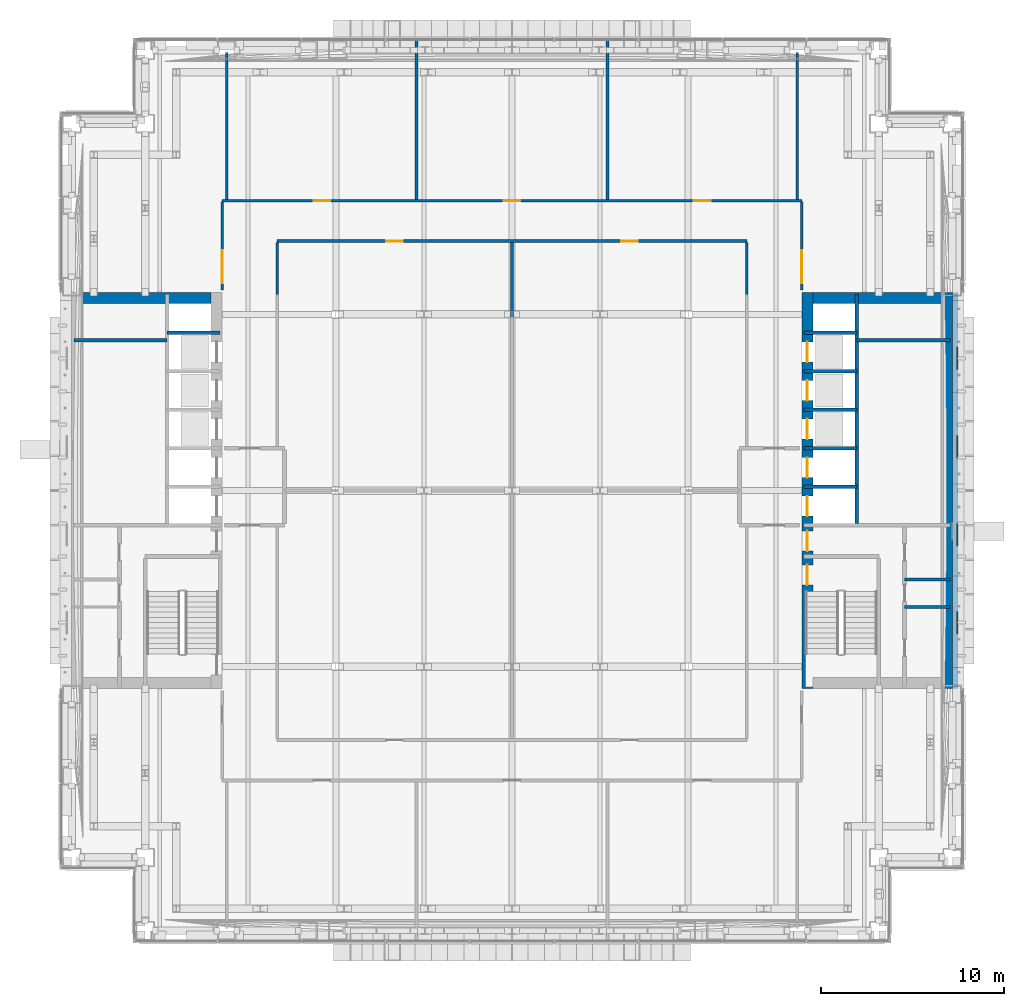
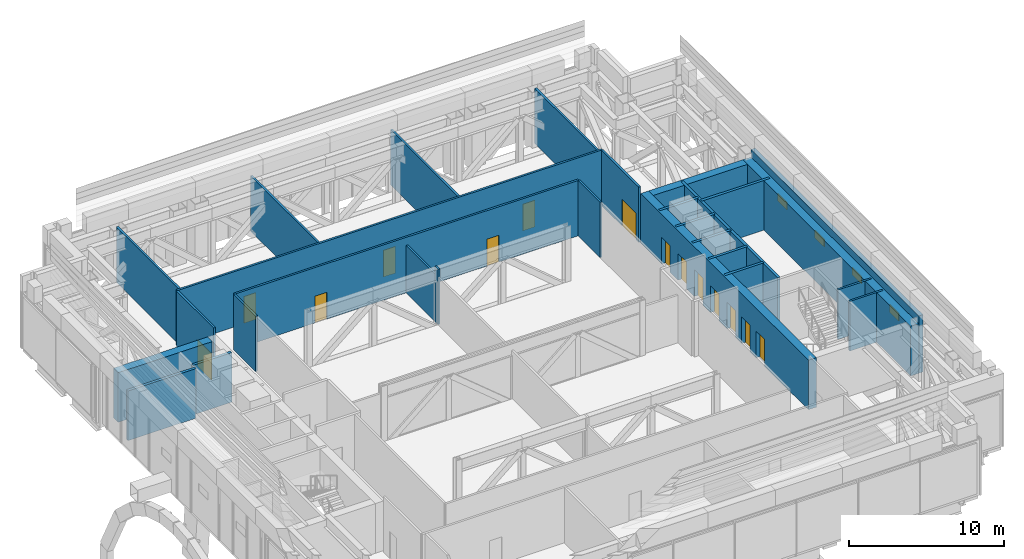
# One storey, part 19 of 39: 28 walls, 14 doors, 4 windows, 18 openings.
"""IFC4 building model written with IfcOpenShell, lengths in metres."""

from ifc_helpers import new_model, si_unit, direction, frame, frame_2d, origin, place, context, subcontext, project, spatial, rectangle, extrude, material, layer, layer_set, type_object, element, fill, save


model = new_model("IFC4")

# Units and contexts
model_context = context("Model", 3, precision=1e-05, world=origin(), true_north=direction((0.0, 1.0)))
body_context = subcontext(model_context, "Body", "Model", "MODEL_VIEW")
ifc_project = project(units=[si_unit("LENGTHUNIT", "METRE"), si_unit("AREAUNIT", "SQUARE_METRE"), si_unit("VOLUMEUNIT", "CUBIC_METRE"), si_unit("PLANEANGLEUNIT", "RADIAN"), si_unit("MASSUNIT", "GRAM", prefix="KILO")], contexts=[model_context])

# Site, building, storey
site_placement = place(None, origin())
site = spatial("IfcSite", under=ifc_project, at=site_placement, CompositionType="ELEMENT")
building_placement = place(site_placement, origin())
building = spatial("IfcBuilding", under=site, at=building_placement, Name="Cobrizo Arcos Hotel Tower", CompositionType="ELEMENT")
storey_placement = place(building_placement, frame((0.0, 0.0, 84.5)))
storey = spatial("IfcBuildingStorey", under=building, at=storey_placement, Name="L20", CompositionType="ELEMENT", Elevation=84.5)

# Walls
ifc_material_1 = material(Name="Gypsum board partition")
ifc_layer_1 = layer(ifc_material_1, 0.14990234375)
ifc_layer_set_1 = layer_set([ifc_layer_1], Name="Corridor wall EI 60 150")
wall_type_1 = type_object("IfcWallType", Name="Corridor wall EI 60 150", PredefinedType="PARTITIONING", material=ifc_layer_set_1)
for number, where, z_axis, x_axis, name in (
    (1, (21.39990234375, -6.35009765625, 0.0), (0.0, 0.0, 1.0), (1.0, 0.0, 0.0), "Partition 004"),
    (2, (21.39990234375, -4.85009765625, 0.0), (0.0, 0.0, 1.0), (1.0, 0.0, 0.0), "Partition 006"),
):
    element("IfcWall", number, at=place(storey_placement, frame(where, z_axis=z_axis, x_axis=x_axis)), inside=storey, type_object=wall_type_1, Name=name, PredefinedType="PARTITIONING", context=body_context, shape_type="SweptSolid", body=[
        extrude(rectangle(XDim=2.47998046875, YDim=0.14990234375, at=frame_2d((1.239990234375, 0.0))), origin(), (0.0, 0.0, 1.0), 3.89990234375),
    ])

# Wall, openings, doors
wall_1_placement = place(storey_placement, frame((-12.800048828125, 13.60009765625, 0.0), z_axis=(0.0, 0.0, 1.0), x_axis=(1.0, 0.0, 0.0)))
wall_1 = element("IfcWall", 3, at=wall_1_placement, inside=storey, type_object=wall_type_1, Name="Partition 030", PredefinedType="PARTITIONING", context=body_context, shape_type="SweptSolid", body=[
    extrude(rectangle(XDim=25.60009765625, YDim=0.14990234375, at=frame_2d((12.800048828125, 0.0))), origin(), (0.0, 0.0, 1.0), 4.35009765625),
])
opening_1_placement = place(wall_1_placement, frame((5.949951171875, 0.0, 0.0)))
opening_1 = element("IfcOpeningElement", 4, at=opening_1_placement, cuts=wall_1, Name="Opening RD-16", PredefinedType="OPENING", context=body_context, shape_type="SweptSolid", body=[
    extrude(rectangle(XDim=0.89990234375, YDim=2.10009765625, at=frame_2d((0.449951171875, 1.050048828125))), frame((0.0, 0.0869140625, 0.0), z_axis=(0.0, -1.0, 0.0), x_axis=(1.0, 0.0, 0.0)), (0.0, 0.0, 1.0), 0.173828125),
])
opening_2_placement = place(wall_1_placement, frame((18.75, 0.0, 0.0)))
opening_2 = element("IfcOpeningElement", 5, at=opening_2_placement, cuts=wall_1, Name="Opening RD-18", PredefinedType="OPENING", context=body_context, shape_type="SweptSolid", body=[
    extrude(rectangle(XDim=0.89990234375, YDim=2.10009765625, at=frame_2d((0.449951171875, 1.050048828125))), frame((0.0, 0.0869140625, 0.0), z_axis=(0.0, -1.0, 0.0), x_axis=(1.0, 0.0, 0.0)), (0.0, 0.0, 1.0), 0.173828125),
])
ifc_material_2 = material(Name="Timber door leaf", Category="wood")
door_type_1 = type_object("IfcDoorType", Name="Room door FD30 900x2100", OperationType="SINGLE_SWING_LEFT", PredefinedType="DOOR", material=ifc_material_2)
door_1_placement = place(opening_1_placement, origin())
door_1 = element("IfcDoor", 6, at=door_1_placement, inside=storey, type_object=door_type_1, Name="Door RD-16", OperationType="SINGLE_SWING_RIGHT", OverallHeight=2.10009765625, OverallWidth=0.89990234375, PredefinedType="DOOR", context=body_context, shape_type="SweptSolid", body=[
    extrude(rectangle(XDim=0.89990234375, YDim=2.10009765625, at=frame_2d((0.449951171875, 1.050048828125))), frame((0.0, 0.02490234375, 0.0), z_axis=(0.0, -1.0, 0.0), x_axis=(1.0, 0.0, 0.0)), (0.0, 0.0, 1.0), 0.050048828125),
])
fill(opening_1, door_1)
door_2_placement = place(opening_2_placement, origin())
door_2 = element("IfcDoor", 7, at=door_2_placement, inside=storey, type_object=door_type_1, Name="Door RD-18", OperationType="SINGLE_SWING_RIGHT", OverallHeight=2.10009765625, OverallWidth=0.89990234375, PredefinedType="DOOR", context=body_context, shape_type="SweptSolid", body=[
    extrude(rectangle(XDim=0.89990234375, YDim=2.10009765625, at=frame_2d((0.449951171875, 1.050048828125))), frame((0.0, 0.02490234375, 0.0), z_axis=(0.0, -1.0, 0.0), x_axis=(1.0, 0.0, 0.0)), (0.0, 0.0, 1.0), 0.050048828125),
])
fill(opening_2, door_2)

wall_2_placement = place(storey_placement, frame((-15.800048828125, 15.800048828125, 0.0), z_axis=(0.0, 0.0, 1.0), x_axis=(1.0, 0.0, 0.0)))
wall_2 = element("IfcWall", 8, at=wall_2_placement, inside=storey, type_object=wall_type_1, Name="Partition 031", PredefinedType="PARTITIONING", context=body_context, shape_type="SweptSolid", body=[
    extrude(rectangle(XDim=31.60009765625, YDim=0.14990234375, at=frame_2d((15.800048828125, 0.0))), origin(), (0.0, 0.0, 1.0), 4.35009765625),
])
opening_3_placement = place(wall_2_placement, frame((4.97998046875, 0.0, 0.0)))
opening_3 = element("IfcOpeningElement", 9, at=opening_3_placement, cuts=wall_2, Name="Opening RD-07", PredefinedType="OPENING", context=body_context, shape_type="SweptSolid", body=[
    extrude(rectangle(XDim=0.89990234375, YDim=2.10009765625, at=frame_2d((0.449951171875, 1.050048828125))), frame((0.0, 0.0869140625, 0.0), z_axis=(0.0, -1.0, 0.0), x_axis=(1.0, 0.0, 0.0)), (0.0, 0.0, 1.0), 0.173828125),
])
opening_4_placement = place(wall_2_placement, frame((15.35009765625, 0.0, 0.0)))
opening_4 = element("IfcOpeningElement", 10, at=opening_4_placement, cuts=wall_2, Name="Opening RD-08", PredefinedType="OPENING", context=body_context, shape_type="SweptSolid", body=[
    extrude(rectangle(XDim=0.89990234375, YDim=2.10009765625, at=frame_2d((0.449951171875, 1.050048828125))), frame((0.0, 0.0869140625, 0.0), z_axis=(0.0, -1.0, 0.0), x_axis=(1.0, 0.0, 0.0)), (0.0, 0.0, 1.0), 0.173828125),
])
opening_5_placement = place(wall_2_placement, frame((25.720947265625, 0.0, 0.0)))
opening_5 = element("IfcOpeningElement", 11, at=opening_5_placement, cuts=wall_2, Name="Opening RD-09", PredefinedType="OPENING", context=body_context, shape_type="SweptSolid", body=[
    extrude(rectangle(XDim=0.89990234375, YDim=2.10009765625, at=frame_2d((0.449951171875, 1.050048828125))), frame((0.0, 0.0869140625, 0.0), z_axis=(0.0, -1.0, 0.0), x_axis=(1.0, 0.0, 0.0)), (0.0, 0.0, 1.0), 0.173828125),
])
door_3_placement = place(opening_3_placement, origin())
door_3 = element("IfcDoor", 12, at=door_3_placement, inside=storey, type_object=door_type_1, Name="Door RD-07", OperationType="SINGLE_SWING_RIGHT", OverallHeight=2.10009765625, OverallWidth=0.89990234375, PredefinedType="DOOR", context=body_context, shape_type="SweptSolid", body=[
    extrude(rectangle(XDim=0.89990234375, YDim=2.10009765625, at=frame_2d((0.449951171875, 1.050048828125))), frame((0.0, 0.02490234375, 0.0), z_axis=(0.0, -1.0, 0.0), x_axis=(1.0, 0.0, 0.0)), (0.0, 0.0, 1.0), 0.050048828125),
])
fill(opening_3, door_3)
door_4_placement = place(opening_4_placement, origin())
door_4 = element("IfcDoor", 13, at=door_4_placement, inside=storey, type_object=door_type_1, Name="Door RD-08", OperationType="SINGLE_SWING_LEFT", OverallHeight=2.10009765625, OverallWidth=0.89990234375, PredefinedType="DOOR", context=body_context, shape_type="SweptSolid", body=[
    extrude(rectangle(XDim=0.89990234375, YDim=2.10009765625, at=frame_2d((0.449951171875, 1.050048828125))), frame((0.0, 0.02490234375, 0.0), z_axis=(0.0, -1.0, 0.0), x_axis=(1.0, 0.0, 0.0)), (0.0, 0.0, 1.0), 0.050048828125),
])
fill(opening_4, door_4)
door_5_placement = place(opening_5_placement, origin())
door_5 = element("IfcDoor", 14, at=door_5_placement, inside=storey, type_object=door_type_1, Name="Door RD-09", OperationType="SINGLE_SWING_LEFT", OverallHeight=2.10009765625, OverallWidth=0.89990234375, PredefinedType="DOOR", context=body_context, shape_type="SweptSolid", body=[
    extrude(rectangle(XDim=0.89990234375, YDim=2.10009765625, at=frame_2d((0.449951171875, 1.050048828125))), frame((0.0, 0.02490234375, 0.0), z_axis=(0.0, -1.0, 0.0), x_axis=(1.0, 0.0, 0.0)), (0.0, 0.0, 1.0), 0.050048828125),
])
fill(opening_5, door_5)

# Wall, opening, door
wall_3_placement = place(storey_placement, frame((-15.800048828125, 10.919921875, 0.0), z_axis=(0.0, 0.0, 1.0), x_axis=(0.0, 1.0, 0.0)))
wall_3 = element("IfcWall", 15, at=wall_3_placement, inside=storey, type_object=wall_type_1, Name="Partition 036", PredefinedType="PARTITIONING", context=body_context, shape_type="SweptSolid", body=[
    extrude(rectangle(XDim=4.80517578125, YDim=0.14990234375, at=frame_2d((2.402587890625, 0.0))), origin(), (0.0, 0.0, 1.0), 4.35009765625),
])
opening_6_placement = place(wall_3_placement, frame((0.3798828125, 0.0, 0.0)))
opening_6 = element("IfcOpeningElement", 16, at=opening_6_placement, cuts=wall_3, Name="Opening DD-01", PredefinedType="OPENING", context=body_context, shape_type="SweptSolid", body=[
    extrude(rectangle(XDim=1.800048828125, YDim=2.10009765625, at=frame_2d((0.89990234375, 1.050048828125))), frame((0.0, 0.0869140625, 0.0), z_axis=(0.0, -1.0, 0.0), x_axis=(1.0, 0.0, 0.0)), (0.0, 0.0, 1.0), 0.173828125),
])
door_type_2 = type_object("IfcDoorType", Name="Double door FD30 1800x2100", OperationType="DOUBLE_DOOR_SINGLE_SWING", PredefinedType="DOOR", material=ifc_material_2)
door_6_placement = place(opening_6_placement, origin())
door_6 = element("IfcDoor", 17, at=door_6_placement, inside=storey, type_object=door_type_2, Name="Door DD-01", OperationType="DOUBLE_DOOR_SINGLE_SWING", OverallHeight=2.10009765625, OverallWidth=1.800048828125, PredefinedType="DOOR", context=body_context, shape_type="SweptSolid", body=[
    extrude(rectangle(XDim=1.800048828125, YDim=2.10009765625, at=frame_2d((0.89990234375, 1.050048828125))), frame((0.0, 0.02490234375, 0.0), z_axis=(0.0, -1.0, 0.0), x_axis=(1.0, 0.0, 0.0)), (0.0, 0.0, 1.0), 0.050048828125),
])
fill(opening_6, door_6)

# Walls
wall_4_placement = place(storey_placement, frame((-15.550048828125, 15.875, 0.0), z_axis=(0.0, 0.0, 1.0), x_axis=(0.0, 1.0, 0.0)))
element("IfcWall", 18, at=wall_4_placement, inside=storey, type_object=wall_type_1, Name="Partition 038", PredefinedType="PARTITIONING", context=body_context, shape_type="SweptSolid", body=[
    extrude(rectangle(XDim=8.0048828125, YDim=0.14990234375, at=frame_2d((4.00244140625, 0.0))), origin(), (0.0, 0.0, 1.0), 4.35009765625),
])
wall_5_placement = place(storey_placement, frame((-12.800048828125, 10.699951171875, 0.0), z_axis=(0.0, 0.0, 1.0), x_axis=(0.0, 1.0, 0.0)))
element("IfcWall", 19, at=wall_5_placement, inside=storey, type_object=wall_type_1, Name="Partition 041", PredefinedType="PARTITIONING", context=body_context, shape_type="SweptSolid", body=[
    extrude(rectangle(XDim=2.824951171875, YDim=0.14990234375, at=frame_2d((1.41259765625, 0.0))), origin(), (0.0, 0.0, 1.0), 4.35009765625),
])
wall_6_placement = place(storey_placement, frame((-5.199951171875, 15.875, 0.0), z_axis=(0.0, 0.0, 1.0), x_axis=(0.0, 1.0, 0.0)))
element("IfcWall", 20, at=wall_6_placement, inside=storey, type_object=wall_type_1, Name="Partition 044", PredefinedType="PARTITIONING", context=body_context, shape_type="SweptSolid", body=[
    extrude(rectangle(XDim=8.655029296875, YDim=0.14990234375, at=frame_2d((4.32763671875, 0.0))), origin(), (0.0, 0.0, 1.0), 4.35009765625),
])
wall_7_placement = place(storey_placement, frame((0.0, 9.39892578125, 0.0), z_axis=(0.0, 0.0, 1.0), x_axis=(0.0, 1.0, 0.0)))
element("IfcWall", 21, at=wall_7_placement, inside=storey, type_object=wall_type_1, Name="Partition 049", PredefinedType="PARTITIONING", context=body_context, shape_type="SweptSolid", body=[
    extrude(rectangle(XDim=0.401123046875, YDim=0.14990234375, at=frame_2d((0.20068359375, 0.0))), origin(), (0.0, 0.0, 1.0), 4.35009765625),
])
wall_8_placement = place(storey_placement, frame((0.0, 9.800048828125, 0.0), z_axis=(0.0, 0.0, 1.0), x_axis=(0.0, 1.0, 0.0)))
element("IfcWall", 22, at=wall_8_placement, inside=storey, type_object=wall_type_1, Name="Partition 050", PredefinedType="PARTITIONING", context=body_context, shape_type="SweptSolid", body=[
    extrude(rectangle(XDim=3.724853515625, YDim=0.14990234375, at=frame_2d((1.8623046875, 0.0))), origin(), (0.0, 0.0, 1.0), 3.72802734375),
])
wall_9_placement = place(storey_placement, frame((5.199951171875, 15.875, 0.0), z_axis=(0.0, 0.0, 1.0), x_axis=(0.0, 1.0, 0.0)))
element("IfcWall", 23, at=wall_9_placement, inside=storey, type_object=wall_type_1, Name="Partition 052", PredefinedType="PARTITIONING", context=body_context, shape_type="SweptSolid", body=[
    extrude(rectangle(XDim=8.655029296875, YDim=0.14990234375, at=frame_2d((4.32763671875, 0.0))), origin(), (0.0, 0.0, 1.0), 4.35009765625),
])
wall_10_placement = place(storey_placement, frame((12.800048828125, 10.699951171875, 0.0), z_axis=(0.0, 0.0, 1.0), x_axis=(0.0, 1.0, 0.0)))
element("IfcWall", 24, at=wall_10_placement, inside=storey, type_object=wall_type_1, Name="Partition 056", PredefinedType="PARTITIONING", context=body_context, shape_type="SweptSolid", body=[
    extrude(rectangle(XDim=2.824951171875, YDim=0.14990234375, at=frame_2d((1.41259765625, 0.0))), origin(), (0.0, 0.0, 1.0), 4.35009765625),
])
wall_11_placement = place(storey_placement, frame((15.550048828125, 15.875, 0.0), z_axis=(0.0, 0.0, 1.0), x_axis=(0.0, 1.0, 0.0)))
element("IfcWall", 25, at=wall_11_placement, inside=storey, type_object=wall_type_1, Name="Partition 058", PredefinedType="PARTITIONING", context=body_context, shape_type="SweptSolid", body=[
    extrude(rectangle(XDim=8.0048828125, YDim=0.14990234375, at=frame_2d((4.00244140625, 0.0))), origin(), (0.0, 0.0, 1.0), 4.35009765625),
])

# Wall, opening, door
wall_12_placement = place(storey_placement, frame((15.800048828125, 10.919921875, 0.0), z_axis=(0.0, 0.0, 1.0), x_axis=(0.0, 1.0, 0.0)))
wall_12 = element("IfcWall", 26, at=wall_12_placement, inside=storey, type_object=wall_type_1, Name="Partition 060", PredefinedType="PARTITIONING", context=body_context, shape_type="SweptSolid", body=[
    extrude(rectangle(XDim=4.80517578125, YDim=0.14990234375, at=frame_2d((2.402587890625, 0.0))), origin(), (0.0, 0.0, 1.0), 4.35009765625),
])
opening_7_placement = place(wall_12_placement, frame((0.3798828125, 0.0, 0.0)))
opening_7 = element("IfcOpeningElement", 27, at=opening_7_placement, cuts=wall_12, Name="Opening DD-02", PredefinedType="OPENING", context=body_context, shape_type="SweptSolid", body=[
    extrude(rectangle(XDim=1.800048828125, YDim=2.10009765625, at=frame_2d((0.89990234375, 1.050048828125))), frame((0.0, 0.0869140625, 0.0), z_axis=(0.0, -1.0, 0.0), x_axis=(1.0, 0.0, 0.0)), (0.0, 0.0, 1.0), 0.173828125),
])
door_7_placement = place(opening_7_placement, origin())
door_7 = element("IfcDoor", 28, at=door_7_placement, inside=storey, type_object=door_type_2, Name="Door DD-02", OperationType="DOUBLE_DOOR_SINGLE_SWING", OverallHeight=2.10009765625, OverallWidth=1.800048828125, PredefinedType="DOOR", context=body_context, shape_type="SweptSolid", body=[
    extrude(rectangle(XDim=1.800048828125, YDim=2.10009765625, at=frame_2d((0.89990234375, 1.050048828125))), frame((0.0, 0.02490234375, 0.0), z_axis=(0.0, -1.0, 0.0), x_axis=(1.0, 0.0, 0.0)), (0.0, 0.0, 1.0), 0.050048828125),
])
fill(opening_7, door_7)

# Wall, openings, windows
ifc_material_3 = material(Name="Aluminium composite panel pale metal", Category="aluminium")
ifc_layer_2 = layer(ifc_material_3, 0.324951171875)
ifc_layer_set_2 = layer_set([ifc_layer_2], Name="EW-1 insulated panel wall 325")
wall_type_2 = type_object("IfcWallType", Name="EW-1 insulated panel wall 325", PredefinedType="SOLIDWALL", material=ifc_layer_set_2)
wall_13_placement = place(storey_placement, frame((24.16259765625, -10.800048828125, 0.0), z_axis=(0.0, 0.0, 1.0), x_axis=(0.0, 1.0, 0.0)))
wall_13 = element("IfcWall", 29, at=wall_13_placement, inside=storey, type_object=wall_type_2, Name="Core face wall L20 E", PredefinedType="SOLIDWALL", context=body_context, shape_type="SweptSolid", body=[
    extrude(rectangle(XDim=21.60009765625, YDim=0.324951171875, at=frame_2d((10.800048828125, 0.0))), origin(), (0.0, 0.0, 1.0), 4.5),
])
opening_8_placement = place(wall_13_placement, frame((3.0, 0.0, 2.199951171875)))
opening_8 = element("IfcOpeningElement", 30, at=opening_8_placement, cuts=wall_13, Name="Opening W-35", PredefinedType="OPENING", context=body_context, shape_type="SweptSolid", body=[
    extrude(rectangle(XDim=1.199951171875, YDim=0.60009765625, at=frame_2d((0.60009765625, 0.300048828125))), frame((0.0, 0.174560546875, 0.0), z_axis=(0.0, -1.0, 0.0), x_axis=(1.0, 0.0, 0.0)), (0.0, 0.0, 1.0), 0.348876953125),
])
opening_9_placement = place(wall_13_placement, frame((7.800048828125, 0.0, 2.199951171875)))
opening_9 = element("IfcOpeningElement", 31, at=opening_9_placement, cuts=wall_13, Name="Opening W-36", PredefinedType="OPENING", context=body_context, shape_type="SweptSolid", body=[
    extrude(rectangle(XDim=1.199951171875, YDim=0.60009765625, at=frame_2d((0.60009765625, 0.300048828125))), frame((0.0, 0.174560546875, 0.0), z_axis=(0.0, -1.0, 0.0), x_axis=(1.0, 0.0, 0.0)), (0.0, 0.0, 1.0), 0.348876953125),
])
opening_10_placement = place(wall_13_placement, frame((12.60009765625, 0.0, 2.199951171875)))
opening_10 = element("IfcOpeningElement", 32, at=opening_10_placement, cuts=wall_13, Name="Opening W-37", PredefinedType="OPENING", context=body_context, shape_type="SweptSolid", body=[
    extrude(rectangle(XDim=1.199951171875, YDim=0.60009765625, at=frame_2d((0.60009765625, 0.300048828125))), frame((0.0, 0.174560546875, 0.0), z_axis=(0.0, -1.0, 0.0), x_axis=(1.0, 0.0, 0.0)), (0.0, 0.0, 1.0), 0.348876953125),
])
opening_11_placement = place(wall_13_placement, frame((17.39990234375, 0.0, 2.199951171875)))
opening_11 = element("IfcOpeningElement", 33, at=opening_11_placement, cuts=wall_13, Name="Opening W-38", PredefinedType="OPENING", context=body_context, shape_type="SweptSolid", body=[
    extrude(rectangle(XDim=1.199951171875, YDim=0.60009765625, at=frame_2d((0.60009765625, 0.300048828125))), frame((0.0, 0.174560546875, 0.0), z_axis=(0.0, -1.0, 0.0), x_axis=(1.0, 0.0, 0.0)), (0.0, 0.0, 1.0), 0.348876953125),
])
ifc_material_4 = material(Name="Aluminium 6063-T6 and clear laminated glass", Category="aluminium")
window_type = type_object("IfcWindowType", Name="W-S1 plant smoke-vent window 1200x600", PartitioningType="SINGLE_PANEL", PredefinedType="WINDOW", material=ifc_material_4)
window_1_placement = place(opening_8_placement, origin())
window_1 = element("IfcWindow", 34, at=window_1_placement, inside=storey, type_object=window_type, Name="Core face wall L20 E window W-35", OverallHeight=0.60009765625, OverallWidth=1.199951171875, PartitioningType="SINGLE_PANEL", PredefinedType="WINDOW", context=body_context, shape_type="SweptSolid", body=[
    extrude(rectangle(XDim=1.199951171875, YDim=0.60009765625, at=frame_2d((0.60009765625, 0.300048828125))), frame((0.0, -0.072509765625, 0.0), z_axis=(0.0, -1.0, 0.0), x_axis=(1.0, 0.0, 0.0)), (0.0, 0.0, 1.0), 0.06005859375),
])
fill(opening_8, window_1)
window_2_placement = place(opening_9_placement, origin())
window_2 = element("IfcWindow", 35, at=window_2_placement, inside=storey, type_object=window_type, Name="Core face wall L20 E window W-36", OverallHeight=0.60009765625, OverallWidth=1.199951171875, PartitioningType="SINGLE_PANEL", PredefinedType="WINDOW", context=body_context, shape_type="SweptSolid", body=[
    extrude(rectangle(XDim=1.199951171875, YDim=0.60009765625, at=frame_2d((0.60009765625, 0.300048828125))), frame((0.0, -0.072509765625, 0.0), z_axis=(0.0, -1.0, 0.0), x_axis=(1.0, 0.0, 0.0)), (0.0, 0.0, 1.0), 0.06005859375),
])
fill(opening_9, window_2)
window_3_placement = place(opening_10_placement, origin())
window_3 = element("IfcWindow", 36, at=window_3_placement, inside=storey, type_object=window_type, Name="Core face wall L20 E window W-37", OverallHeight=0.60009765625, OverallWidth=1.199951171875, PartitioningType="SINGLE_PANEL", PredefinedType="WINDOW", context=body_context, shape_type="SweptSolid", body=[
    extrude(rectangle(XDim=1.199951171875, YDim=0.60009765625, at=frame_2d((0.60009765625, 0.300048828125))), frame((0.0, -0.072509765625, 0.0), z_axis=(0.0, -1.0, 0.0), x_axis=(1.0, 0.0, 0.0)), (0.0, 0.0, 1.0), 0.06005859375),
])
fill(opening_10, window_3)
window_4_placement = place(opening_11_placement, origin())
window_4 = element("IfcWindow", 37, at=window_4_placement, inside=storey, type_object=window_type, Name="Core face wall L20 E window W-38", OverallHeight=0.60009765625, OverallWidth=1.199951171875, PartitioningType="SINGLE_PANEL", PredefinedType="WINDOW", context=body_context, shape_type="SweptSolid", body=[
    extrude(rectangle(XDim=1.199951171875, YDim=0.60009765625, at=frame_2d((0.60009765625, 0.300048828125))), frame((0.0, -0.072509765625, 0.0), z_axis=(0.0, -1.0, 0.0), x_axis=(1.0, 0.0, 0.0)), (0.0, 0.0, 1.0), 0.06005859375),
])
fill(opening_11, window_4)

# Wall, openings, doors
ifc_material_5 = material(Name="Concrete f'c 60 MPa", Category="concrete")
ifc_layer_3 = layer(ifc_material_5, 0.60009765625)
ifc_layer_set_3 = layer_set([ifc_layer_3], Name="RC core wall 600 f'c 60")
wall_type_3 = type_object("IfcWallType", Name="RC core wall 600 f'c 60", PredefinedType="SHEAR", material=ifc_layer_set_3)
wall_14_placement = place(storey_placement, frame((16.10009765625, -10.800048828125, 0.0), z_axis=(0.0, 0.0, 1.0), x_axis=(0.0, 1.0, 0.0)))
wall_14 = element("IfcWall", 38, at=wall_14_placement, inside=storey, type_object=wall_type_3, Name="Core wall CW1, east core, inner face, L20", PredefinedType="SHEAR", context=body_context, shape_type="SweptSolid", body=[
    extrude(rectangle(XDim=21.60009765625, YDim=0.60009765625, at=frame_2d((10.800048828125, 0.0))), origin(), (0.0, 0.0, 1.0), 3.89990234375),
])
opening_12_placement = place(wall_14_placement, frame((9.39990234375, 0.0, 0.0)))
opening_12 = element("IfcOpeningElement", 39, at=opening_12_placement, cuts=wall_14, Name="Opening LD-06", PredefinedType="OPENING", context=body_context, shape_type="SweptSolid", body=[
    extrude(rectangle(XDim=1.10009765625, YDim=2.10009765625, at=frame_2d((0.550048828125, 1.050048828125))), frame((0.0, 0.31201171875, 0.0), z_axis=(0.0, -1.0, 0.0), x_axis=(1.0, 0.0, 0.0)), (0.0, 0.0, 1.0), 0.6240234375),
])
opening_13_placement = place(wall_14_placement, frame((11.5, 0.0, 0.0)))
opening_13 = element("IfcOpeningElement", 40, at=opening_13_placement, cuts=wall_14, Name="Opening LD-07", PredefinedType="OPENING", context=body_context, shape_type="SweptSolid", body=[
    extrude(rectangle(XDim=1.10009765625, YDim=2.10009765625, at=frame_2d((0.550048828125, 1.050048828125))), frame((0.0, 0.31201171875, 0.0), z_axis=(0.0, -1.0, 0.0), x_axis=(1.0, 0.0, 0.0)), (0.0, 0.0, 1.0), 0.6240234375),
])
opening_14_placement = place(wall_14_placement, frame((13.60009765625, 0.0, 0.0)))
opening_14 = element("IfcOpeningElement", 41, at=opening_14_placement, cuts=wall_14, Name="Opening LD-08", PredefinedType="OPENING", context=body_context, shape_type="SweptSolid", body=[
    extrude(rectangle(XDim=1.10009765625, YDim=2.10009765625, at=frame_2d((0.550048828125, 1.050048828125))), frame((0.0, 0.31201171875, 0.0), z_axis=(0.0, -1.0, 0.0), x_axis=(1.0, 0.0, 0.0)), (0.0, 0.0, 1.0), 0.6240234375),
])
opening_15_placement = place(wall_14_placement, frame((15.699951171875, 0.0, 0.0)))
opening_15 = element("IfcOpeningElement", 42, at=opening_15_placement, cuts=wall_14, Name="Opening LD-09", PredefinedType="OPENING", context=body_context, shape_type="SweptSolid", body=[
    extrude(rectangle(XDim=1.10009765625, YDim=2.10009765625, at=frame_2d((0.550048828125, 1.050048828125))), frame((0.0, 0.31201171875, 0.0), z_axis=(0.0, -1.0, 0.0), x_axis=(1.0, 0.0, 0.0)), (0.0, 0.0, 1.0), 0.6240234375),
])
opening_16_placement = place(wall_14_placement, frame((17.800048828125, 0.0, 0.0)))
opening_16 = element("IfcOpeningElement", 43, at=opening_16_placement, cuts=wall_14, Name="Opening LD-10", PredefinedType="OPENING", context=body_context, shape_type="SweptSolid", body=[
    extrude(rectangle(XDim=1.10009765625, YDim=2.10009765625, at=frame_2d((0.550048828125, 1.050048828125))), frame((0.0, 0.31201171875, 0.0), z_axis=(0.0, -1.0, 0.0), x_axis=(1.0, 0.0, 0.0)), (0.0, 0.0, 1.0), 0.6240234375),
])
opening_17_placement = place(wall_14_placement, frame((5.64208984375, 0.0, 0.0)))
opening_17 = element("IfcOpeningElement", 44, at=opening_17_placement, cuts=wall_14, Name="Opening SD-02", PredefinedType="OPENING", context=body_context, shape_type="SweptSolid", body=[
    extrude(rectangle(XDim=1.10009765625, YDim=2.10009765625, at=frame_2d((0.550048828125, 1.050048828125))), frame((0.0, 0.31201171875, 0.0), z_axis=(0.0, -1.0, 0.0), x_axis=(1.0, 0.0, 0.0)), (0.0, 0.0, 1.0), 0.6240234375),
])
opening_18_placement = place(wall_14_placement, frame((7.5, 0.0, 0.0)))
opening_18 = element("IfcOpeningElement", 45, at=opening_18_placement, cuts=wall_14, Name="Opening FD-04", PredefinedType="OPENING", context=body_context, shape_type="SweptSolid", body=[
    extrude(rectangle(XDim=1.10009765625, YDim=2.10009765625, at=frame_2d((0.550048828125, 1.050048828125))), frame((0.0, 0.31201171875, 0.0), z_axis=(0.0, -1.0, 0.0), x_axis=(1.0, 0.0, 0.0)), (0.0, 0.0, 1.0), 0.6240234375),
])
ifc_material_6 = material(Name="Steel door leaf", Category="steel")
door_type_3 = type_object("IfcDoorType", Name="Fire door FD60 1100x2100", OperationType="SINGLE_SWING_LEFT", PredefinedType="DOOR", material=ifc_material_6)
door_8_placement = place(opening_18_placement, origin())
door_8 = element("IfcDoor", 46, at=door_8_placement, inside=storey, type_object=door_type_3, Name="Door FD-04", OperationType="SINGLE_SWING_LEFT", OverallHeight=2.10009765625, OverallWidth=1.10009765625, PredefinedType="DOOR", context=body_context, shape_type="SweptSolid", body=[
    extrude(rectangle(XDim=1.10009765625, YDim=2.10009765625, at=frame_2d((0.550048828125, 1.050048828125))), frame((0.0, 0.02490234375, 0.0), z_axis=(0.0, -1.0, 0.0), x_axis=(1.0, 0.0, 0.0)), (0.0, 0.0, 1.0), 0.050048828125),
])
fill(opening_18, door_8)
door_type_4 = type_object("IfcDoorType", Name="Lift landing door 1100x2100", OperationType="SLIDING_TO_LEFT", PredefinedType="DOOR", material=ifc_material_6)
door_9_placement = place(opening_12_placement, origin())
door_9 = element("IfcDoor", 47, at=door_9_placement, inside=storey, type_object=door_type_4, Name="Lift landing door LD-06", OperationType="SLIDING_TO_LEFT", OverallHeight=2.10009765625, OverallWidth=1.10009765625, PredefinedType="DOOR", context=body_context, shape_type="SweptSolid", body=[
    extrude(rectangle(XDim=1.10009765625, YDim=2.10009765625, at=frame_2d((0.550048828125, 1.050048828125))), frame((0.0, 0.02490234375, 0.0), z_axis=(0.0, -1.0, 0.0), x_axis=(1.0, 0.0, 0.0)), (0.0, 0.0, 1.0), 0.050048828125),
])
fill(opening_12, door_9)
door_10_placement = place(opening_13_placement, origin())
door_10 = element("IfcDoor", 48, at=door_10_placement, inside=storey, type_object=door_type_4, Name="Lift landing door LD-07", OperationType="SLIDING_TO_LEFT", OverallHeight=2.10009765625, OverallWidth=1.10009765625, PredefinedType="DOOR", context=body_context, shape_type="SweptSolid", body=[
    extrude(rectangle(XDim=1.10009765625, YDim=2.10009765625, at=frame_2d((0.550048828125, 1.050048828125))), frame((0.0, 0.02490234375, 0.0), z_axis=(0.0, -1.0, 0.0), x_axis=(1.0, 0.0, 0.0)), (0.0, 0.0, 1.0), 0.050048828125),
])
fill(opening_13, door_10)
door_11_placement = place(opening_14_placement, origin())
door_11 = element("IfcDoor", 49, at=door_11_placement, inside=storey, type_object=door_type_4, Name="Lift landing door LD-08", OperationType="SLIDING_TO_LEFT", OverallHeight=2.10009765625, OverallWidth=1.10009765625, PredefinedType="DOOR", context=body_context, shape_type="SweptSolid", body=[
    extrude(rectangle(XDim=1.10009765625, YDim=2.10009765625, at=frame_2d((0.550048828125, 1.050048828125))), frame((0.0, 0.02490234375, 0.0), z_axis=(0.0, -1.0, 0.0), x_axis=(1.0, 0.0, 0.0)), (0.0, 0.0, 1.0), 0.050048828125),
])
fill(opening_14, door_11)
door_12_placement = place(opening_15_placement, origin())
door_12 = element("IfcDoor", 50, at=door_12_placement, inside=storey, type_object=door_type_4, Name="Lift landing door LD-09", OperationType="SLIDING_TO_LEFT", OverallHeight=2.10009765625, OverallWidth=1.10009765625, PredefinedType="DOOR", context=body_context, shape_type="SweptSolid", body=[
    extrude(rectangle(XDim=1.10009765625, YDim=2.10009765625, at=frame_2d((0.550048828125, 1.050048828125))), frame((0.0, 0.02490234375, 0.0), z_axis=(0.0, -1.0, 0.0), x_axis=(1.0, 0.0, 0.0)), (0.0, 0.0, 1.0), 0.050048828125),
])
fill(opening_15, door_12)
door_13_placement = place(opening_16_placement, origin())
door_13 = element("IfcDoor", 51, at=door_13_placement, inside=storey, type_object=door_type_4, Name="Lift landing door LD-10", OperationType="SLIDING_TO_LEFT", OverallHeight=2.10009765625, OverallWidth=1.10009765625, PredefinedType="DOOR", context=body_context, shape_type="SweptSolid", body=[
    extrude(rectangle(XDim=1.10009765625, YDim=2.10009765625, at=frame_2d((0.550048828125, 1.050048828125))), frame((0.0, 0.02490234375, 0.0), z_axis=(0.0, -1.0, 0.0), x_axis=(1.0, 0.0, 0.0)), (0.0, 0.0, 1.0), 0.050048828125),
])
fill(opening_16, door_13)
door_type_5 = type_object("IfcDoorType", Name="Stair door FD60S 1100x2100", OperationType="SINGLE_SWING_LEFT", PredefinedType="DOOR", material=ifc_material_6)
door_14_placement = place(opening_17_placement, origin())
door_14 = element("IfcDoor", 52, at=door_14_placement, inside=storey, type_object=door_type_5, Name="Door SD-02", OperationType="SINGLE_SWING_RIGHT", OverallHeight=2.10009765625, OverallWidth=1.10009765625, PredefinedType="DOOR", context=body_context, shape_type="SweptSolid", body=[
    extrude(rectangle(XDim=1.10009765625, YDim=2.10009765625, at=frame_2d((0.550048828125, 1.050048828125))), frame((0.0, 0.02490234375, 0.0), z_axis=(0.0, -1.0, 0.0), x_axis=(1.0, 0.0, 0.0)), (0.0, 0.0, 1.0), 0.050048828125),
])
fill(opening_17, door_14)

# Walls
wall_15_placement = place(storey_placement, frame((23.699951171875, -10.800048828125, 0.0), z_axis=(0.0, 0.0, 1.0), x_axis=(0.0, 1.0, 0.0)))
element("IfcWall", 53, at=wall_15_placement, inside=storey, type_object=wall_type_3, Name="Core wall CW1, east core, outer face, L20", PredefinedType="SHEAR", context=body_context, shape_type="SweptSolid", body=[
    extrude(rectangle(XDim=21.60009765625, YDim=0.60009765625, at=frame_2d((10.800048828125, 0.0))), origin(), (0.0, 0.0, 1.0), 3.89990234375),
])
for number, where, z_axis, x_axis, name in (
    (54, (16.39990234375, 10.5, 0.0), (0.0, 0.0, 1.0), (1.0, 0.0, 0.0), "Core wall CW1, east core, north end, L20"),
    (55, (-23.39990234375, 10.5, 0.0), (0.0, 0.0, 1.0), (1.0, 0.0, 0.0), "Core wall CW1, west core, north end, L20"),
):
    element("IfcWall", number, at=place(storey_placement, frame(where, z_axis=z_axis, x_axis=x_axis)), inside=storey, type_object=wall_type_3, Name=name, PredefinedType="SHEAR", context=body_context, shape_type="SweptSolid", body=[
        extrude(rectangle(XDim=7.0, YDim=0.60009765625, at=frame_2d((3.5, 0.0))), origin(), (0.0, 0.0, 1.0), 3.89990234375),
    ])
ifc_layer_4 = layer(ifc_material_1, 0.199951171875)
ifc_layer_set_4 = layer_set([ifc_layer_4], Name="Shaft wall EI 120 200")
wall_type_4 = type_object("IfcWallType", Name="Shaft wall EI 120 200", PredefinedType="PARTITIONING", material=ifc_layer_set_4)
for number, where, z_axis, x_axis, name in (
    (56, (15.919921875, 0.199951171875, 0.0), (0.0, 0.0, 1.0), (1.0, 0.0, 0.0), "Partition 017"),
    (57, (15.919921875, 2.300048828125, 0.0), (0.0, 0.0, 1.0), (1.0, 0.0, 0.0), "Partition 021"),
    (58, (15.919921875, 4.39990234375, 0.0), (0.0, 0.0, 1.0), (1.0, 0.0, 0.0), "Partition 023"),
    (59, (15.919921875, 6.5, 0.0), (0.0, 0.0, 1.0), (1.0, 0.0, 0.0), "Partition 025"),
):
    element("IfcWall", number, at=place(storey_placement, frame(where, z_axis=z_axis, x_axis=x_axis)), inside=storey, type_object=wall_type_4, Name=name, PredefinedType="PARTITIONING", context=body_context, shape_type="SweptSolid", body=[
        extrude(rectangle(XDim=2.880126953125, YDim=0.199951171875, at=frame_2d((1.43994140625, 0.0))), origin(), (0.0, 0.0, 1.0), 3.89990234375),
    ])
for number, where, z_axis, x_axis, name in (
    (60, (-23.8798828125, 8.199951171875, 0.0), (0.0, 0.0, 1.0), (1.0, 0.0, 0.0), "Partition 026"),
    (61, (18.800048828125, 8.199951171875, 0.0), (0.0, 0.0, 1.0), (1.0, 0.0, 0.0), "Partition 027"),
):
    element("IfcWall", number, at=place(storey_placement, frame(where, z_axis=z_axis, x_axis=x_axis)), inside=storey, type_object=wall_type_4, Name=name, PredefinedType="PARTITIONING", context=body_context, shape_type="SweptSolid", body=[
        extrude(rectangle(XDim=5.079833984375, YDim=0.199951171875, at=frame_2d((2.5400390625, 0.0))), origin(), (0.0, 0.0, 1.0), 3.89990234375),
    ])
for number, where, z_axis, x_axis, name in (
    (62, (-18.800048828125, 8.60009765625, 0.0), (0.0, 0.0, 1.0), (1.0, 0.0, 0.0), "Partition 028"),
    (63, (15.919921875, 8.60009765625, 0.0), (0.0, 0.0, 1.0), (1.0, 0.0, 0.0), "Partition 029"),
):
    element("IfcWall", number, at=place(storey_placement, frame(where, z_axis=z_axis, x_axis=x_axis)), inside=storey, type_object=wall_type_4, Name=name, PredefinedType="PARTITIONING", context=body_context, shape_type="SweptSolid", body=[
        extrude(rectangle(XDim=2.880126953125, YDim=0.199951171875, at=frame_2d((1.43994140625, 0.0))), origin(), (0.0, 0.0, 1.0), 3.89990234375),
    ])
wall_16_placement = place(storey_placement, frame((18.800048828125, -1.800048828125, 0.0), z_axis=(0.0, 0.0, 1.0), x_axis=(0.0, 1.0, 0.0)))
element("IfcWall", 64, at=wall_16_placement, inside=storey, type_object=wall_type_4, Name="Partition 061", PredefinedType="PARTITIONING", context=body_context, shape_type="SweptSolid", body=[
    extrude(rectangle(XDim=12.47998046875, YDim=0.199951171875, at=frame_2d((6.239990234375, 0.0))), origin(), (0.0, 0.0, 1.0), 3.89990234375),
])

save(model, "model.ifc")
